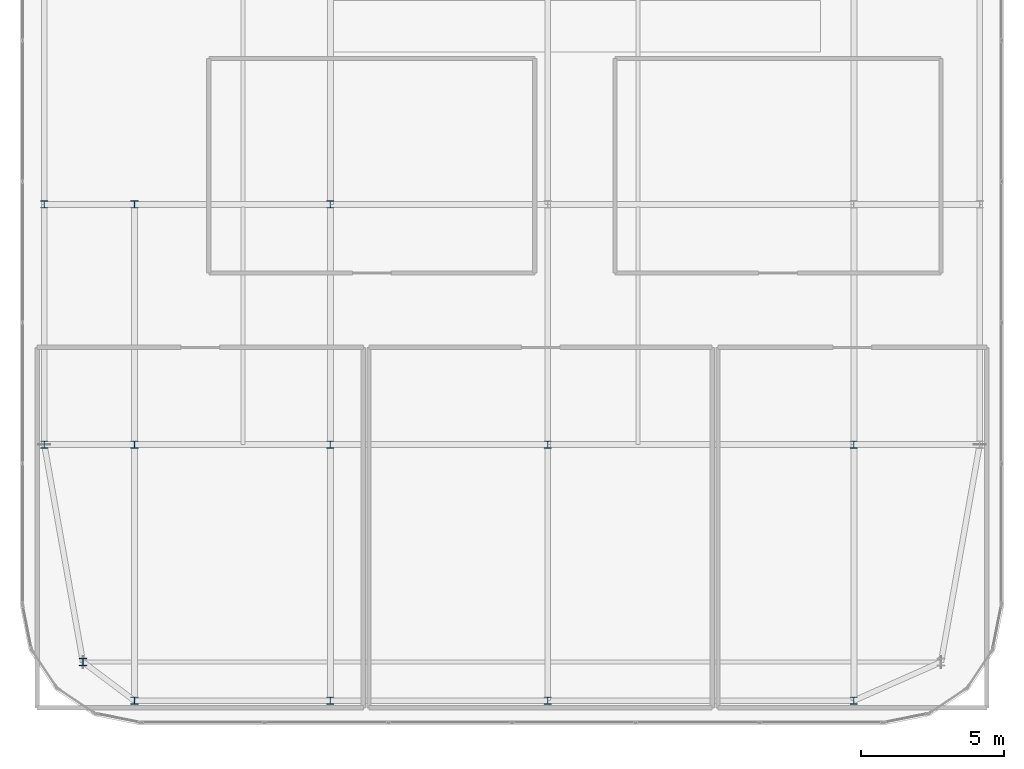
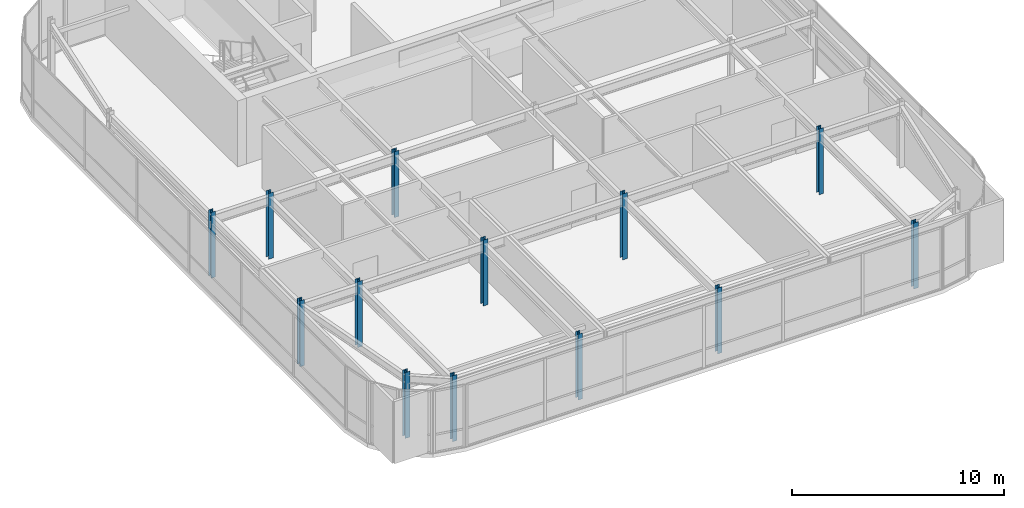
# One storey, part 1 of 36: 13 columns.
"""IFC4 building model written with IfcOpenShell, lengths in metres."""

from ifc_helpers import new_model, si_unit, direction, frame, origin, origin_2d, place, context, subcontext, project, spatial, i_section, extrude, source, transform, mapped, material, material_profile, profile_set, type_object, type_shapes, element, save


model = new_model("IFC4")

# Units and contexts
model_context = context("Model", 3, precision=1e-05, world=origin(), true_north=direction((0.0, 1.0)))
body_context = subcontext(model_context, "Body", "Model", "MODEL_VIEW")
ifc_project = project(units=[si_unit("LENGTHUNIT", "METRE"), si_unit("AREAUNIT", "SQUARE_METRE"), si_unit("VOLUMEUNIT", "CUBIC_METRE"), si_unit("PLANEANGLEUNIT", "RADIAN"), si_unit("MASSUNIT", "GRAM", prefix="KILO")], contexts=[model_context])

# Site, building, storey
site_placement = place(None, origin())
site = spatial("IfcSite", under=ifc_project, at=site_placement, CompositionType="ELEMENT")
building_placement = place(site_placement, origin())
building = spatial("IfcBuilding", under=site, at=building_placement, Name="Tolvann Quenvar Hotel", CompositionType="ELEMENT")
storey_placement = place(building_placement, frame((0.0, 0.0, 302.35009765625)))
storey = spatial("IfcBuildingStorey", under=building, at=storey_placement, Name="L80", CompositionType="ELEMENT", Elevation=302.35009765625)

# Columns
ifc_material = material(Name="Steel Grade 350", Category="steel")
ifc_material_profile = material_profile(ifc_material, i_section(OverallWidth=0.25390625, OverallDepth=0.25390625, WebThickness=0.008544921875, FlangeThickness=0.01416015625, FilletRadius=0.013916015625, at=origin_2d()), Name="250UC73")
ifc_profile_set = profile_set([ifc_material_profile], Name="Steel Grade 350")
column_type = type_object("IfcColumnType", Name="COL_250UC73", PredefinedType="COLUMN", material=ifc_profile_set)
shared_shape = source(origin(), body_context, "Body", "SweptSolid", [
    extrude(i_section(OverallWidth=0.25390625, OverallDepth=0.25390625, WebThickness=0.008544921875, FlangeThickness=0.01416015625, FilletRadius=0.013916015625, at=origin_2d()), origin(), (0.0, 0.0, 1.0), 3.7998046875),
])
type_shapes(column_type, [shared_shape])
for number, where, z_axis, x_axis, name in (
    (1, (5.800048828125, 8.39990234375, 0.0), (0.0, 0.0, 1.0), (1.0, 0.0, 0.0), "Column B2 (L80)"),
    (2, (4.449951171875, 16.0, 0.0), (0.0, 0.0, 1.0), (1.0, 0.0, 0.0), "Column B4 (L80)"),
    (3, (4.449951171875, 24.39990234375, 0.0), (0.0, 0.0, 1.0), (1.0, 0.0, 0.0), "Column B5 (L80)"),
    (4, (7.60009765625, 7.050048828125, 0.0), (0.0, 0.0, 1.0), (1.0, 0.0, 0.0), "Column C2 (L80)"),
    (5, (7.60009765625, 16.0, 0.0), (0.0, 0.0, 1.0), (1.0, 0.0, 0.0), "Column C4 (L80)"),
    (6, (7.60009765625, 24.39990234375, 0.0), (0.0, 0.0, 1.0), (1.0, 0.0, 0.0), "Column C5 (L80)"),
    (7, (14.449951171875, 7.050048828125, 0.0), (0.0, 0.0, 1.0), (1.0, 0.0, 0.0), "Column D2 (L80)"),
    (8, (14.449951171875, 16.0, 0.0), (0.0, 0.0, 1.0), (1.0, 0.0, 0.0), "Column D4 (L80)"),
    (9, (14.449951171875, 24.39990234375, 0.0), (0.0, 0.0, 1.0), (1.0, 0.0, 0.0), "Column D5 (L80)"),
    (10, (22.050048828125, 7.050048828125, 0.0), (0.0, 0.0, 1.0), (1.0, 0.0, 0.0), "Column E2 (L80)"),
    (11, (22.050048828125, 16.0, 0.0), (0.0, 0.0, 1.0), (1.0, 0.0, 0.0), "Column E4 (L80)"),
    (12, (32.75, 7.050048828125, 0.0), (0.0, 0.0, 1.0), (1.0, 0.0, 0.0), "Column FP2 (L80)"),
    (13, (32.75, 16.0, 0.0), (0.0, 0.0, 1.0), (1.0, 0.0, 0.0), "Column FP4 (L80)"),
):
    element("IfcColumn", number, at=place(storey_placement, frame(where, z_axis=z_axis, x_axis=x_axis)), inside=storey, type_object=column_type, Name=name, PredefinedType="COLUMN", context=body_context, shape_type="MappedRepresentation", body=[
        mapped(shared_shape, transform((0.0, 0.0, 0.0), x_axis=(1.0, 0.0, 0.0), y_axis=(0.0, 1.0, 0.0), z_axis=(0.0, 0.0, 1.0), scale=1.0)),
    ])

save(model, "model.ifc")
